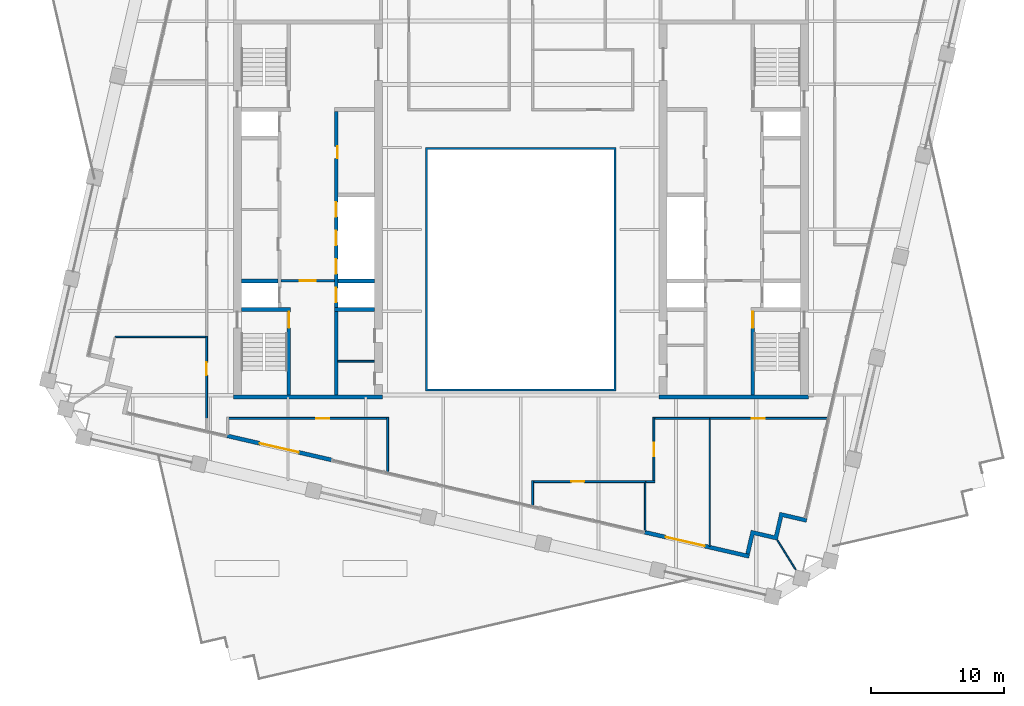
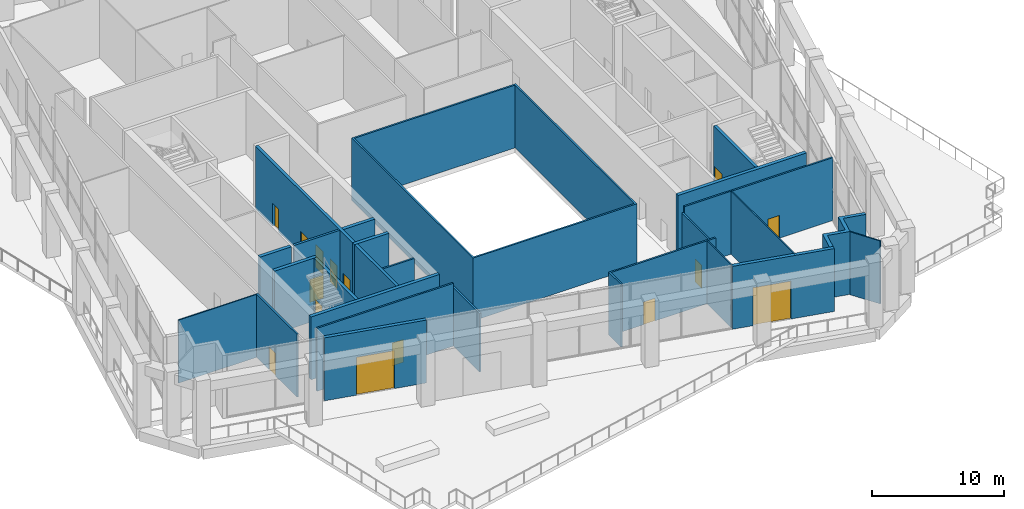
# One storey, part 12 of 21: 28 walls, 15 doors, 15 openings.
"""IFC4 building model written with IfcOpenShell, lengths in metres."""

from ifc_helpers import new_model, si_unit, direction, frame, frame_2d, origin, place, context, subcontext, project, spatial, polyline, rectangle, outline, extrude, material, layer, layer_set, type_object, element, fill, save


model = new_model("IFC4")

# Units and contexts
model_context = context("Model", 3, precision=1e-05, world=origin(), true_north=direction((0.0, 1.0)))
body_context = subcontext(model_context, "Body", "Model", "MODEL_VIEW")
ifc_project = project(units=[si_unit("LENGTHUNIT", "METRE"), si_unit("AREAUNIT", "SQUARE_METRE"), si_unit("VOLUMEUNIT", "CUBIC_METRE"), si_unit("PLANEANGLEUNIT", "RADIAN"), si_unit("MASSUNIT", "GRAM", prefix="KILO")], contexts=[model_context])

# Site, building, storey
site_placement = place(None, origin())
site = spatial("IfcSite", under=ifc_project, at=site_placement, CompositionType="ELEMENT")
building_placement = place(site_placement, origin())
building = spatial("IfcBuilding", under=site, at=building_placement, Name="Ogive Exchange Tower", CompositionType="ELEMENT")
storey_placement = place(building_placement, frame((0.0, 0.0, 237.0)))
storey = spatial("IfcBuildingStorey", under=building, at=storey_placement, Name="L51", CompositionType="ELEMENT", Elevation=237.0)

# Wall
ifc_material_1 = material(Name="Gypsum board partition")
ifc_layer_1 = layer(ifc_material_1, 0.14990234375)
ifc_layer_set_1 = layer_set([ifc_layer_1], Name="Core room partition 150 gypsum")
wall_type_1 = type_object("IfcWallType", Name="Core room partition 150 gypsum", PredefinedType="PARTITIONING", material=ifc_layer_set_1)
wall_1_placement = place(storey_placement, frame((-13.75, 0.10009765625, 0.0), z_axis=(0.0, 0.0, 1.0), x_axis=(1.0, 0.0, 0.0)))
element("IfcWall", 1, at=wall_1_placement, inside=storey, type_object=wall_type_1, Name="W south room partition", PredefinedType="PARTITIONING", context=body_context, shape_type="SweptSolid", body=[
    extrude(rectangle(XDim=2.75, YDim=0.14990234375, at=frame_2d((1.375, 0.0))), origin(), (0.0, 0.0, 1.0), 5.800048828125),
])

# Wall, opening, door
ifc_material_2 = material(Name="Fire partition EI 60 150")
ifc_layer_2 = layer(ifc_material_2, 0.14990234375)
ifc_layer_set_2 = layer_set([ifc_layer_2], Name="Fire partition EI 60 150")
wall_type_2 = type_object("IfcWallType", Name="Fire partition EI 60 150", PredefinedType="PARTITIONING", material=ifc_layer_set_2)
wall_2_placement = place(storey_placement, frame((-23.60009765625, -4.199951171875, 0.0), z_axis=(0.0, 0.0, 1.0), x_axis=(0.0, 1.0, 0.0)))
wall_2 = element("IfcWall", 2, at=wall_2_placement, inside=storey, type_object=wall_type_2, Name="L51-PWL-002", PredefinedType="PARTITIONING", context=body_context, shape_type="SweptSolid", body=[
    extrude(rectangle(XDim=6.179931640625, YDim=0.14990234375, at=frame_2d((3.08984375, 0.0))), origin(), (0.0, 0.0, 1.0), 5.800048828125),
])
opening_1_placement = place(wall_2_placement, frame((3.22998046875, 0.0, 0.0)))
opening_1 = element("IfcOpeningElement", 3, at=opening_1_placement, cuts=wall_2, Name="Opening L51-I11", PredefinedType="OPENING", context=body_context, shape_type="SweptSolid", body=[
    extrude(rectangle(XDim=1.0, YDim=2.10009765625, at=frame_2d((0.5, 1.050048828125))), frame((0.0, 0.0849609375, 0.0), z_axis=(0.0, -1.0, 0.0), x_axis=(1.0, 0.0, 0.0)), (0.0, 0.0, 1.0), 0.169921875),
])
ifc_material_3 = material(Name="Fire door FD 30S 1000 x 2100")
door_type_1 = type_object("IfcDoorType", Name="Fire door FD 30S 1000 x 2100", OperationType="NOTDEFINED", PredefinedType="DOOR", material=ifc_material_3)
door_1_placement = place(opening_1_placement, origin())
door_1 = element("IfcDoor", 4, at=door_1_placement, inside=storey, type_object=door_type_1, Name="L51-IDR-011", ObjectType="DT3", OperationType="SINGLE_SWING_LEFT", OverallHeight=2.10009765625, OverallWidth=1.0, PredefinedType="DOOR", context=body_context, shape_type="SweptSolid", body=[
    extrude(rectangle(XDim=1.0, YDim=2.10009765625, at=frame_2d((0.5, 1.050048828125))), frame((0.0, 0.02490234375, 0.0), z_axis=(0.0, -1.0, 0.0), x_axis=(1.0, 0.0, 0.0)), (0.0, 0.0, 1.0), 0.050048828125),
])
fill(opening_1, door_1)

# Wall
wall_3_placement = place(storey_placement, frame((-10.0, -8.216064453125, 0.0), z_axis=(0.0, 0.0, 1.0), x_axis=(0.0, 1.0, 0.0)))
element("IfcWall", 5, at=wall_3_placement, inside=storey, type_object=wall_type_2, Name="L51-PWL-020", PredefinedType="PARTITIONING", context=body_context, shape_type="SweptSolid", body=[
    extrude(rectangle(XDim=4.091064453125, YDim=0.14990234375, at=frame_2d((2.04541015625, 0.0))), origin(), (0.0, 0.0, 1.0), 5.39404296875),
])

# Wall, opening, door
wall_4_placement = place(storey_placement, frame((-10.074951171875, -4.199951171875, 0.0), z_axis=(0.0, 0.0, 1.0), x_axis=(-1.0, 0.0, 0.0)))
wall_4 = element("IfcWall", 6, at=wall_4_placement, inside=storey, type_object=wall_type_2, Name="L51-PWL-021", PredefinedType="PARTITIONING", context=body_context, shape_type="SweptSolid", body=[
    extrude(rectangle(XDim=11.880126953125, YDim=0.14990234375, at=frame_2d((5.93994140625, 0.0))), origin(), (0.0, 0.0, 1.0), 5.800048828125),
])
opening_2_placement = place(wall_4_placement, frame((4.304931640625, 0.0, 0.0)))
opening_2 = element("IfcOpeningElement", 7, at=opening_2_placement, cuts=wall_4, Name="Opening L51-I01", PredefinedType="OPENING", context=body_context, shape_type="SweptSolid", body=[
    extrude(rectangle(XDim=1.0, YDim=2.10009765625, at=frame_2d((0.5, 1.050048828125))), frame((0.0, 0.0849609375, 0.0), z_axis=(0.0, -1.0, 0.0), x_axis=(1.0, 0.0, 0.0)), (0.0, 0.0, 1.0), 0.169921875),
])
door_2_placement = place(opening_2_placement, origin())
door_2 = element("IfcDoor", 8, at=door_2_placement, inside=storey, type_object=door_type_1, Name="L51-IDR-001", ObjectType="DT3", OperationType="SINGLE_SWING_RIGHT", OverallHeight=2.10009765625, OverallWidth=1.0, PredefinedType="DOOR", context=body_context, shape_type="SweptSolid", body=[
    extrude(rectangle(XDim=1.0, YDim=2.10009765625, at=frame_2d((0.5, 1.050048828125))), frame((0.0, 0.02490234375, 0.0), z_axis=(0.0, -1.0, 0.0), x_axis=(1.0, 0.0, 0.0)), (0.0, 0.0, 1.0), 0.050048828125),
])
fill(opening_2, door_2)

# Wall
wall_5_placement = place(storey_placement, frame((0.8798828125, -8.864990234375, 0.0), z_axis=(0.0, 0.0, 1.0), x_axis=(0.0, -1.0, 0.0)))
element("IfcWall", 9, at=wall_5_placement, inside=storey, type_object=wall_type_2, Name="L51-PWL-035", PredefinedType="PARTITIONING", context=body_context, shape_type="SweptSolid", body=[
    extrude(rectangle(XDim=1.863037109375, YDim=0.14990234375, at=frame_2d((0.931640625, 0.0))), origin(), (0.0, 0.0, 1.0), 5.800048828125),
])

# Wall, opening, door
wall_6_placement = place(storey_placement, frame((9.389892578125, -8.93994140625, 0.0), z_axis=(0.0, 0.0, 1.0), x_axis=(-1.0, 0.0, 0.0)))
wall_6 = element("IfcWall", 10, at=wall_6_placement, inside=storey, type_object=wall_type_2, Name="L51-PWL-048", PredefinedType="PARTITIONING", context=body_context, shape_type="SweptSolid", body=[
    extrude(rectangle(XDim=8.434814453125, YDim=0.14990234375, at=frame_2d((4.21728515625, 0.0))), origin(), (0.0, 0.0, 1.0), 5.800048828125),
])
opening_3_placement = place(wall_6_placement, frame((4.610107421875, 0.0, 0.0)))
opening_3 = element("IfcOpeningElement", 11, at=opening_3_placement, cuts=wall_6, Name="Opening L51-I21", PredefinedType="OPENING", context=body_context, shape_type="SweptSolid", body=[
    extrude(rectangle(XDim=1.0, YDim=2.10009765625, at=frame_2d((0.5, 1.050048828125))), frame((0.0, 0.0849609375, 0.0), z_axis=(0.0, -1.0, 0.0), x_axis=(1.0, 0.0, 0.0)), (0.0, 0.0, 1.0), 0.169921875),
])
door_3_placement = place(opening_3_placement, origin())
door_3 = element("IfcDoor", 12, at=door_3_placement, inside=storey, type_object=door_type_1, Name="L51-IDR-021", ObjectType="DT3", OperationType="SINGLE_SWING_LEFT", OverallHeight=2.10009765625, OverallWidth=1.0, PredefinedType="DOOR", context=body_context, shape_type="SweptSolid", body=[
    extrude(rectangle(XDim=1.0, YDim=2.10009765625, at=frame_2d((0.5, 1.050048828125))), frame((0.0, 0.02490234375, 0.0), z_axis=(0.0, -1.0, 0.0), x_axis=(1.0, 0.0, 0.0)), (0.0, 0.0, 1.0), 0.050048828125),
])
fill(opening_3, door_3)

# Wall
wall_7_placement = place(storey_placement, frame((10.074951171875, -8.93994140625, 0.0), z_axis=(0.0, 0.0, 1.0), x_axis=(-1.0, 0.0, 0.0)))
element("IfcWall", 13, at=wall_7_placement, inside=storey, type_object=wall_type_2, Name="L51-PWL-052", PredefinedType="PARTITIONING", context=body_context, shape_type="SweptSolid", body=[
    extrude(rectangle(XDim=0.68505859375, YDim=0.14990234375, at=frame_2d((0.342529296875, 0.0))), origin(), (0.0, 0.0, 1.0), 5.800048828125),
])

# Wall, opening, door
wall_8_placement = place(storey_placement, frame((10.0, -4.125, 0.0), z_axis=(0.0, 0.0, 1.0), x_axis=(0.0, -1.0, 0.0)))
wall_8 = element("IfcWall", 14, at=wall_8_placement, inside=storey, type_object=wall_type_2, Name="L51-PWL-053", PredefinedType="PARTITIONING", context=body_context, shape_type="SweptSolid", body=[
    extrude(rectangle(XDim=4.739990234375, YDim=0.14990234375, at=frame_2d((2.3701171875, 0.0))), origin(), (0.0, 0.0, 1.0), 5.197998046875),
])
opening_4_placement = place(wall_8_placement, frame((1.9150390625, 0.0, 0.0)))
opening_4 = element("IfcOpeningElement", 15, at=opening_4_placement, cuts=wall_8, Name="Opening L51-I22", PredefinedType="OPENING", context=body_context, shape_type="SweptSolid", body=[
    extrude(rectangle(XDim=1.0, YDim=2.10009765625, at=frame_2d((0.5, 1.050048828125))), frame((0.0, 0.0849609375, 0.0), z_axis=(0.0, -1.0, 0.0), x_axis=(1.0, 0.0, 0.0)), (0.0, 0.0, 1.0), 0.169921875),
])
door_4_placement = place(opening_4_placement, origin())
door_4 = element("IfcDoor", 16, at=door_4_placement, inside=storey, type_object=door_type_1, Name="L51-IDR-022", ObjectType="DT3", OperationType="SINGLE_SWING_RIGHT", OverallHeight=2.10009765625, OverallWidth=1.0, PredefinedType="DOOR", context=body_context, shape_type="SweptSolid", body=[
    extrude(rectangle(XDim=1.0, YDim=2.10009765625, at=frame_2d((0.5, 1.050048828125))), frame((0.0, 0.02490234375, 0.0), z_axis=(0.0, -1.0, 0.0), x_axis=(1.0, 0.0, 0.0)), (0.0, 0.0, 1.0), 0.050048828125),
])
fill(opening_4, door_4)

# Wall
wall_9_placement = place(storey_placement, frame((14.18994140625, -4.199951171875, 0.0), z_axis=(0.0, 0.0, 1.0), x_axis=(-1.0, 0.0, 0.0)))
element("IfcWall", 17, at=wall_9_placement, inside=storey, type_object=wall_type_2, Name="L51-PWL-055", PredefinedType="PARTITIONING", context=body_context, shape_type="SweptSolid", body=[
    extrude(rectangle(XDim=4.114990234375, YDim=0.14990234375, at=frame_2d((2.0576171875, 0.0))), origin(), (0.0, 0.0, 1.0), 5.800048828125),
])

# Wall, opening, door
wall_10_placement = place(storey_placement, frame((23.013916015625, -4.199951171875, 0.0), z_axis=(0.0, 0.0, 1.0), x_axis=(-1.0, 0.0, 0.0)))
wall_10 = element("IfcWall", 18, at=wall_10_placement, inside=storey, type_object=wall_type_2, Name="L51-PWL-065", PredefinedType="PARTITIONING", context=body_context, shape_type="SweptSolid", body=[
    extrude(rectangle(XDim=8.823974609375, YDim=0.14990234375, at=frame_2d((4.412109375, 0.0))), origin(), (0.0, 0.0, 1.0), 5.800048828125),
])
opening_5_placement = place(wall_10_placement, frame((4.674072265625, 0.0, 0.0)))
opening_5 = element("IfcOpeningElement", 19, at=opening_5_placement, cuts=wall_10, Name="Opening L51-I23", PredefinedType="OPENING", context=body_context, shape_type="SweptSolid", body=[
    extrude(rectangle(XDim=1.0, YDim=2.10009765625, at=frame_2d((0.5, 1.050048828125))), frame((0.0, 0.0849609375, 0.0), z_axis=(0.0, -1.0, 0.0), x_axis=(1.0, 0.0, 0.0)), (0.0, 0.0, 1.0), 0.169921875),
])
door_5_placement = place(opening_5_placement, origin())
door_5 = element("IfcDoor", 20, at=door_5_placement, inside=storey, type_object=door_type_1, Name="L51-IDR-023", ObjectType="DT3", OperationType="SINGLE_SWING_LEFT", OverallHeight=2.10009765625, OverallWidth=1.0, PredefinedType="DOOR", context=body_context, shape_type="SweptSolid", body=[
    extrude(rectangle(XDim=1.0, YDim=2.10009765625, at=frame_2d((0.5, 1.050048828125))), frame((0.0, 0.02490234375, 0.0), z_axis=(0.0, -1.0, 0.0), x_axis=(1.0, 0.0, 0.0)), (0.0, 0.0, 1.0), 0.050048828125),
])
fill(opening_5, door_5)

# Wall
ifc_material_4 = material(Name="Fire-resisting glass in steel frame", Category="steel")
ifc_layer_3 = layer(ifc_material_4, 0.14990234375)
ifc_layer_set_3 = layer_set([ifc_layer_3], Name="Fire-rated glazed wall 150")
wall_type_3 = type_object("IfcWallType", Name="Fire-rated glazed wall 150", PredefinedType="STANDARD", material=ifc_layer_set_3)
wall_11_placement = place(storey_placement, origin())
element("IfcWall", 21, at=wall_11_placement, inside=storey, type_object=wall_type_3, Name="Nave enclosure wall", PredefinedType="STANDARD", context=body_context, shape_type="SweptSolid", body=[
    extrude(outline(polyline([(-7.14990234375, -2.14990234375), (7.14990234375, -2.14990234375), (7.14990234375, 16.14990234375), (-7.14990234375, 16.14990234375), (-7.14990234375, -2.14990234375)]), holes=[polyline([(-7.0, -2.0), (-7.0, 16.0), (7.0, 16.0), (7.0, -2.0), (-7.0, -2.0)])]), origin(), (0.0, 0.0, 1.0), 5.800048828125),
])

# Wall, opening, door
ifc_material_5 = material(Name="Precast concrete C40/50", Category="concrete")
ifc_layer_4 = layer(ifc_material_5, 0.300048828125)
ifc_layer_set_4 = layer_set([ifc_layer_4], Name="Limestone-faced wall 300")
wall_type_4 = type_object("IfcWallType", Name="Limestone-faced wall 300", PredefinedType="STANDARD", material=ifc_layer_set_4)
wall_12_placement = place(storey_placement, frame((-22.064697265625, -5.501708984375, 0.0), z_axis=(0.0, 0.0, 1.0), x_axis=(0.974372279954, -0.224941459176, 0.0)))
wall_12 = element("IfcWall", 22, at=wall_12_placement, inside=storey, type_object=wall_type_4, Name="External wall S1", PredefinedType="STANDARD", context=body_context, shape_type="SweptSolid", body=[
    extrude(rectangle(XDim=8.050048828125, YDim=0.300048828125, at=frame_2d((4.02490234375, 0.0))), origin(), (0.0, 0.0, 1.0), 5.800048828125),
])
opening_6_placement = place(wall_12_placement, frame((2.52490234375, 0.0, 0.0)))
opening_6 = element("IfcOpeningElement", 23, at=opening_6_placement, cuts=wall_12, Name="Opening D2", PredefinedType="OPENING", context=body_context, shape_type="SweptSolid", body=[
    extrude(rectangle(XDim=3.0, YDim=3.5, at=frame_2d((1.5, 1.75))), frame((0.0, 0.159912109375, 0.0), z_axis=(0.0, -1.0, 0.0), x_axis=(1.0, 0.0, 0.0)), (0.0, 0.0, 1.0), 0.320068359375),
])
ifc_material_6 = material(Name="Clear glass in bronze frame", Category="glass")
door_type_2 = type_object("IfcDoorType", Name="Winter garden sliding door 3000 x 3500", OperationType="DOUBLE_DOOR_SLIDING", PredefinedType="DOOR", material=ifc_material_6)
door_6_placement = place(opening_6_placement, origin())
door_6 = element("IfcDoor", 24, at=door_6_placement, inside=storey, type_object=door_type_2, Name="Loggia door S01", OperationType="DOUBLE_DOOR_SLIDING", OverallHeight=3.5, OverallWidth=3.0, PredefinedType="DOOR", context=body_context, shape_type="SweptSolid", body=[
    extrude(rectangle(XDim=3.0, YDim=3.5, at=frame_2d((1.5, 1.75))), frame((0.0, 0.02490234375, 0.0), z_axis=(0.0, -1.0, 0.0), x_axis=(1.0, 0.0, 0.0)), (0.0, 0.0, 1.0), 0.050048828125),
])
fill(opening_6, door_6)

wall_13_placement = place(storey_placement, frame((9.31005859375, -12.7451171875, 0.0), z_axis=(0.0, 0.0, 1.0), x_axis=(0.974372279954, -0.224941459176, 0.0)))
wall_13 = element("IfcWall", 25, at=wall_13_placement, inside=storey, type_object=wall_type_4, Name="External wall S2", PredefinedType="STANDARD", context=body_context, shape_type="SweptSolid", body=[
    extrude(rectangle(XDim=8.050048828125, YDim=0.300048828125, at=frame_2d((4.02490234375, 0.0))), origin(), (0.0, 0.0, 1.0), 5.800048828125),
])
opening_7_placement = place(wall_13_placement, frame((1.625, 0.0, 0.0)))
opening_7 = element("IfcOpeningElement", 26, at=opening_7_placement, cuts=wall_13, Name="Opening D2", PredefinedType="OPENING", context=body_context, shape_type="SweptSolid", body=[
    extrude(rectangle(XDim=3.0, YDim=3.5, at=frame_2d((1.5, 1.75))), frame((0.0, 0.159912109375, 0.0), z_axis=(0.0, -1.0, 0.0), x_axis=(1.0, 0.0, 0.0)), (0.0, 0.0, 1.0), 0.320068359375),
])
door_7_placement = place(opening_7_placement, origin())
door_7 = element("IfcDoor", 27, at=door_7_placement, inside=storey, type_object=door_type_2, Name="Loggia door S05", OperationType="DOUBLE_DOOR_SLIDING", OverallHeight=3.5, OverallWidth=3.0, PredefinedType="DOOR", context=body_context, shape_type="SweptSolid", body=[
    extrude(rectangle(XDim=3.0, YDim=3.5, at=frame_2d((1.5, 1.75))), frame((0.0, 0.02490234375, 0.0), z_axis=(0.0, -1.0, 0.0), x_axis=(1.0, 0.0, 0.0)), (0.0, 0.0, 1.0), 0.050048828125),
])
fill(opening_7, door_7)

# Walls
wall_14_placement = place(storey_placement, origin())
element("IfcWall", 28, at=wall_14_placement, inside=storey, type_object=wall_type_4, Name="External corner wall C1", PredefinedType="STANDARD", context=body_context, shape_type="SweptSolid", body=[
    extrude(outline(polyline([(19.053955078125, -12.993408203125), (19.458740234375, -11.239501953125), (21.5048828125, -11.7119140625), (21.4375, -12.004150390625), (19.68359375, -11.599365234375), (19.27880859375, -13.353271484375), (17.52490234375, -12.9482421875), (17.1875, -14.409912109375), (16.89501953125, -14.34228515625), (17.300048828125, -12.58837890625), (19.053955078125, -12.993408203125)])), origin(), (0.0, 0.0, 1.0), 5.800048828125),
])
ifc_material_7 = material(Name="Laminated safety glass in steel frame", Category="steel")
ifc_layer_5 = layer(ifc_material_7, 0.10009765625)
ifc_layer_set_5 = layer_set([ifc_layer_5], Name="Loggia end screen 100")
wall_type_5 = type_object("IfcWallType", Name="Loggia end screen 100", PredefinedType="STANDARD", material=ifc_layer_set_5)
wall_15_placement = place(storey_placement, frame((19.27880859375, -13.353271484375, 0.0), z_axis=(0.0, 0.0, 1.0), x_axis=(0.529914407191, -0.848051131154, 0.0)))
element("IfcWall", 29, at=wall_15_placement, inside=storey, type_object=wall_type_5, Name="Loggia end screen C1", PredefinedType="STANDARD", context=body_context, shape_type="SweptSolid", body=[
    extrude(rectangle(XDim=2.59619140625, YDim=0.10009765625, at=frame_2d((1.298095703125, 0.0))), origin(), (0.0, 0.0, 1.0), 5.800048828125),
])
ifc_material_8 = material(Name="Partition 100 gypsum")
ifc_layer_6 = layer(ifc_material_8, 0.10009765625)
ifc_layer_set_6 = layer_set([ifc_layer_6], Name="Partition 100 gypsum")
wall_type_6 = type_object("IfcWallType", Name="Partition 100 gypsum", PredefinedType="PARTITIONING", material=ifc_layer_set_6)
wall_16_placement = place(storey_placement, frame((-23.675048828125, 1.929931640625, 0.0), z_axis=(0.0, 0.0, 1.0), x_axis=(-1.0, 0.0, 0.0)))
element("IfcWall", 30, at=wall_16_placement, inside=storey, type_object=wall_type_6, Name="L51-PWL-003", PredefinedType="PARTITIONING", context=body_context, shape_type="SweptSolid", body=[
    extrude(rectangle(XDim=6.804931640625, YDim=0.10009765625, at=frame_2d((3.40234375, 0.0))), origin(), (0.0, 0.0, 1.0), 5.800048828125),
])
wall_17_placement = place(storey_placement, frame((9.340087890625, -9.014892578125, 0.0), z_axis=(0.0, 0.0, 1.0), x_axis=(0.0, -1.0, 0.0)))
element("IfcWall", 31, at=wall_17_placement, inside=storey, type_object=wall_type_6, Name="L51-PWL-049", PredefinedType="PARTITIONING", context=body_context, shape_type="SweptSolid", body=[
    extrude(rectangle(XDim=3.666015625, YDim=0.10009765625, at=frame_2d((1.8330078125, 0.0))), origin(), (0.0, 0.0, 1.0), 5.800048828125),
])
wall_18_placement = place(storey_placement, frame((14.18994140625, -4.27490234375, 0.0), z_axis=(0.0, 0.0, 1.0), x_axis=(0.0, -1.0, 0.0)))
element("IfcWall", 32, at=wall_18_placement, inside=storey, type_object=wall_type_6, Name="L51-PWL-056", PredefinedType="PARTITIONING", context=body_context, shape_type="SweptSolid", body=[
    extrude(rectangle(XDim=9.525146484375, YDim=0.10009765625, at=frame_2d((4.7626953125, 0.0))), origin(), (0.0, 0.0, 1.0), 5.800048828125),
])

# Wall, opening, door
ifc_material_9 = material(Name="Concrete C70/85", Category="concrete")
ifc_layer_7 = layer(ifc_material_9, 0.199951171875)
ifc_layer_set_7 = layer_set([ifc_layer_7], Name="RC core wall 200 C70/85")
wall_type_7 = type_object("IfcWallType", Name="RC core wall 200 C70/85", PredefinedType="SHEAR", material=ifc_layer_set_7)
wall_19_placement = place(storey_placement, frame((-18.0, 6.142822265625, 0.0), z_axis=(0.0, 0.0, 1.0), x_axis=(1.0, 0.0, 0.0)))
wall_19 = element("IfcWall", 33, at=wall_19_placement, inside=storey, type_object=wall_type_7, Name="W firefighting lobby wall", PredefinedType="SHEAR", context=body_context, shape_type="SweptSolid", body=[
    extrude(rectangle(XDim=4.0, YDim=0.199951171875, at=frame_2d((2.0, 0.0))), origin(), (0.0, 0.0, 1.0), 5.800048828125),
])
opening_8_placement = place(wall_19_placement, frame((1.39990234375, 0.0, 0.0)))
opening_8 = element("IfcOpeningElement", 34, at=opening_8_placement, cuts=wall_19, Name="Opening L51-C10", PredefinedType="OPENING", context=body_context, shape_type="SweptSolid", body=[
    extrude(rectangle(XDim=1.199951171875, YDim=2.10009765625, at=frame_2d((0.60009765625, 1.050048828125))), frame((0.0, 0.10986328125, 0.0), z_axis=(0.0, -1.0, 0.0), x_axis=(1.0, 0.0, 0.0)), (0.0, 0.0, 1.0), 0.219970703125),
])
ifc_material_10 = material(Name="Steel fire door", Category="steel")
door_type_3 = type_object("IfcDoorType", Name="Firefighting lobby door FD60 1200 x 2100", OperationType="NOTDEFINED", PredefinedType="DOOR", material=ifc_material_10)
door_8_placement = place(opening_8_placement, frame((1.199951171875, 0.0, 0.0), z_axis=(0.0, 0.0, 1.0), x_axis=(-1.0, 0.0, 0.0)))
door_8 = element("IfcDoor", 35, at=door_8_placement, inside=storey, type_object=door_type_3, Name="Firefighting lobby door", ObjectType="CD3", OperationType="SINGLE_SWING_RIGHT", OverallHeight=2.10009765625, OverallWidth=1.199951171875, PredefinedType="DOOR", context=body_context, shape_type="SweptSolid", body=[
    extrude(rectangle(XDim=1.199951171875, YDim=2.10009765625, at=frame_2d((0.60009765625, 1.050048828125))), frame((0.0, 0.02490234375, 0.0), z_axis=(0.0, -1.0, 0.0), x_axis=(1.0, 0.0, 0.0)), (0.0, 0.0, 1.0), 0.050048828125),
])
fill(opening_8, door_8)

ifc_layer_8 = layer(ifc_material_9, 0.25)
ifc_layer_set_8 = layer_set([ifc_layer_8], Name="RC core wall 250 C70/85")
wall_type_8 = type_object("IfcWallType", Name="RC core wall 250 C70/85", PredefinedType="SHEAR", material=ifc_layer_set_8)
wall_20_placement = place(storey_placement, frame((-17.425048828125, -2.449951171875, 0.0), z_axis=(0.0, 0.0, 1.0), x_axis=(0.0, 1.0, 0.0)))
wall_20 = element("IfcWall", 36, at=wall_20_placement, inside=storey, type_object=wall_type_8, Name="W stair S front wall", PredefinedType="SHEAR", context=body_context, shape_type="SweptSolid", body=[
    extrude(rectangle(XDim=6.300048828125, YDim=0.25, at=frame_2d((3.14990234375, 0.0))), origin(), (0.0, 0.0, 1.0), 5.800048828125),
])
opening_9_placement = place(wall_20_placement, frame((5.050048828125, 0.0, 0.0)))
opening_9 = element("IfcOpeningElement", 37, at=opening_9_placement, cuts=wall_20, Name="Opening L51-C12", PredefinedType="OPENING", context=body_context, shape_type="SweptSolid", body=[
    extrude(rectangle(XDim=1.199951171875, YDim=2.10009765625, at=frame_2d((0.60009765625, 1.050048828125))), frame((0.0, 0.135009765625, 0.0), z_axis=(0.0, -1.0, 0.0), x_axis=(1.0, 0.0, 0.0)), (0.0, 0.0, 1.0), 0.27001953125),
])
door_type_4 = type_object("IfcDoorType", Name="Stair door FD90 1200 x 2100", OperationType="NOTDEFINED", PredefinedType="DOOR", material=ifc_material_10)
door_9_placement = place(opening_9_placement, origin())
door_9 = element("IfcDoor", 38, at=door_9_placement, inside=storey, type_object=door_type_4, Name="Stair door", ObjectType="CD5", OperationType="SINGLE_SWING_LEFT", OverallHeight=2.10009765625, OverallWidth=1.199951171875, PredefinedType="DOOR", context=body_context, shape_type="SweptSolid", body=[
    extrude(rectangle(XDim=1.199951171875, YDim=2.10009765625, at=frame_2d((0.60009765625, 1.050048828125))), frame((0.0, 0.02490234375, 0.0), z_axis=(0.0, -1.0, 0.0), x_axis=(1.0, 0.0, 0.0)), (0.0, 0.0, 1.0), 0.050048828125),
])
fill(opening_9, door_9)

# Wall, openings, doors
wall_21_placement = place(storey_placement, frame((-13.875, -2.449951171875, 0.0), z_axis=(0.0, 0.0, 1.0), x_axis=(0.0, 1.0, 0.0)))
wall_21 = element("IfcWall", 39, at=wall_21_placement, inside=storey, type_object=wall_type_8, Name="W row B front wall", PredefinedType="SHEAR", context=body_context, shape_type="SweptSolid", body=[
    extrude(rectangle(XDim=21.300048828125, YDim=0.25, at=frame_2d((10.64990234375, 0.0))), origin(), (0.0, 0.0, 1.0), 5.800048828125),
])
opening_10_placement = place(wall_21_placement, frame((17.78564453125, 0.0, 0.0)))
opening_10 = element("IfcOpeningElement", 40, at=opening_10_placement, cuts=wall_21, Name="Opening L51-C05", PredefinedType="OPENING", context=body_context, shape_type="SweptSolid", body=[
    extrude(rectangle(XDim=0.89990234375, YDim=2.10009765625, at=frame_2d((0.449951171875, 1.050048828125))), frame((0.0, 0.135009765625, 0.0), z_axis=(0.0, -1.0, 0.0), x_axis=(1.0, 0.0, 0.0)), (0.0, 0.0, 1.0), 0.27001953125),
])
opening_11_placement = place(wall_21_placement, frame((6.971435546875, 0.0, 0.0)))
opening_11 = element("IfcOpeningElement", 41, at=opening_11_placement, cuts=wall_21, Name="Opening L51-C06", PredefinedType="OPENING", context=body_context, shape_type="SweptSolid", body=[
    extrude(rectangle(XDim=1.10009765625, YDim=2.10009765625, at=frame_2d((0.550048828125, 1.050048828125))), frame((0.0, 0.135009765625, 0.0), z_axis=(0.0, -1.0, 0.0), x_axis=(1.0, 0.0, 0.0)), (0.0, 0.0, 1.0), 0.27001953125),
])
opening_12_placement = place(wall_21_placement, frame((9.1142578125, 0.0, 0.0)))
opening_12 = element("IfcOpeningElement", 42, at=opening_12_placement, cuts=wall_21, Name="Opening L51-C07", PredefinedType="OPENING", context=body_context, shape_type="SweptSolid", body=[
    extrude(rectangle(XDim=1.10009765625, YDim=2.10009765625, at=frame_2d((0.550048828125, 1.050048828125))), frame((0.0, 0.135009765625, 0.0), z_axis=(0.0, -1.0, 0.0), x_axis=(1.0, 0.0, 0.0)), (0.0, 0.0, 1.0), 0.27001953125),
])
opening_13_placement = place(wall_21_placement, frame((11.257080078125, 0.0, 0.0)))
opening_13 = element("IfcOpeningElement", 43, at=opening_13_placement, cuts=wall_21, Name="Opening L51-C08", PredefinedType="OPENING", context=body_context, shape_type="SweptSolid", body=[
    extrude(rectangle(XDim=1.10009765625, YDim=2.10009765625, at=frame_2d((0.550048828125, 1.050048828125))), frame((0.0, 0.135009765625, 0.0), z_axis=(0.0, -1.0, 0.0), x_axis=(1.0, 0.0, 0.0)), (0.0, 0.0, 1.0), 0.27001953125),
])
opening_14_placement = place(wall_21_placement, frame((13.39990234375, 0.0, 0.0)))
opening_14 = element("IfcOpeningElement", 44, at=opening_14_placement, cuts=wall_21, Name="Opening L51-C09", PredefinedType="OPENING", context=body_context, shape_type="SweptSolid", body=[
    extrude(rectangle(XDim=1.10009765625, YDim=2.10009765625, at=frame_2d((0.550048828125, 1.050048828125))), frame((0.0, 0.135009765625, 0.0), z_axis=(0.0, -1.0, 0.0), x_axis=(1.0, 0.0, 0.0)), (0.0, 0.0, 1.0), 0.27001953125),
])
ifc_material_11 = material(Name="Stainless steel", Category="steel")
door_type_5 = type_object("IfcDoorType", Name="Lift landing door FD90 1100 x 2100", OperationType="SLIDING_TO_LEFT", PredefinedType="DOOR", material=ifc_material_11)
door_10_placement = place(opening_11_placement, origin())
door_10 = element("IfcDoor", 45, at=door_10_placement, inside=storey, type_object=door_type_5, Name="Lift landing door SV1", ObjectType="LD", OperationType="SLIDING_TO_LEFT", OverallHeight=2.10009765625, OverallWidth=1.10009765625, PredefinedType="DOOR", context=body_context, shape_type="SweptSolid", body=[
    extrude(rectangle(XDim=1.10009765625, YDim=2.10009765625, at=frame_2d((0.550048828125, 1.050048828125))), frame((0.0, 0.02490234375, 0.0), z_axis=(0.0, -1.0, 0.0), x_axis=(1.0, 0.0, 0.0)), (0.0, 0.0, 1.0), 0.050048828125),
])
fill(opening_11, door_10)
door_11_placement = place(opening_12_placement, origin())
door_11 = element("IfcDoor", 46, at=door_11_placement, inside=storey, type_object=door_type_5, Name="Lift landing door W-M1", ObjectType="LD", OperationType="SLIDING_TO_LEFT", OverallHeight=2.10009765625, OverallWidth=1.10009765625, PredefinedType="DOOR", context=body_context, shape_type="SweptSolid", body=[
    extrude(rectangle(XDim=1.10009765625, YDim=2.10009765625, at=frame_2d((0.550048828125, 1.050048828125))), frame((0.0, 0.02490234375, 0.0), z_axis=(0.0, -1.0, 0.0), x_axis=(1.0, 0.0, 0.0)), (0.0, 0.0, 1.0), 0.050048828125),
])
fill(opening_12, door_11)
door_12_placement = place(opening_13_placement, origin())
door_12 = element("IfcDoor", 47, at=door_12_placement, inside=storey, type_object=door_type_5, Name="Lift landing door W-M2", ObjectType="LD", OperationType="SLIDING_TO_LEFT", OverallHeight=2.10009765625, OverallWidth=1.10009765625, PredefinedType="DOOR", context=body_context, shape_type="SweptSolid", body=[
    extrude(rectangle(XDim=1.10009765625, YDim=2.10009765625, at=frame_2d((0.550048828125, 1.050048828125))), frame((0.0, 0.02490234375, 0.0), z_axis=(0.0, -1.0, 0.0), x_axis=(1.0, 0.0, 0.0)), (0.0, 0.0, 1.0), 0.050048828125),
])
fill(opening_13, door_12)
door_13_placement = place(opening_14_placement, origin())
door_13 = element("IfcDoor", 48, at=door_13_placement, inside=storey, type_object=door_type_5, Name="Lift landing door W-M3", ObjectType="LD", OperationType="SLIDING_TO_LEFT", OverallHeight=2.10009765625, OverallWidth=1.10009765625, PredefinedType="DOOR", context=body_context, shape_type="SweptSolid", body=[
    extrude(rectangle(XDim=1.10009765625, YDim=2.10009765625, at=frame_2d((0.550048828125, 1.050048828125))), frame((0.0, 0.02490234375, 0.0), z_axis=(0.0, -1.0, 0.0), x_axis=(1.0, 0.0, 0.0)), (0.0, 0.0, 1.0), 0.050048828125),
])
fill(opening_14, door_13)
door_type_6 = type_object("IfcDoorType", Name="Riser door FD60 900 x 2100", OperationType="NOTDEFINED", PredefinedType="DOOR", material=ifc_material_10)
door_14_placement = place(opening_10_placement, frame((0.89990234375, -0.2001953125, 0.0), z_axis=(0.0, 0.0, 1.0), x_axis=(-1.0, 0.0, 0.0)))
door_14 = element("IfcDoor", 49, at=door_14_placement, inside=storey, type_object=door_type_6, Name="Riser door", ObjectType="CD2", OperationType="SINGLE_SWING_RIGHT", OverallHeight=2.10009765625, OverallWidth=0.89990234375, PredefinedType="DOOR", context=body_context, shape_type="SweptSolid", body=[
    extrude(rectangle(XDim=0.89990234375, YDim=2.10009765625, at=frame_2d((0.449951171875, 1.050048828125))), frame((0.0, -0.0751953125, 0.0), z_axis=(0.0, -1.0, 0.0), x_axis=(1.0, 0.0, 0.0)), (0.0, 0.0, 1.0), 0.050048828125),
])
fill(opening_10, door_14)

# Wall, opening, door
wall_22_placement = place(storey_placement, frame((17.425048828125, -2.449951171875, 0.0), z_axis=(0.0, 0.0, 1.0), x_axis=(0.0, 1.0, 0.0)))
wall_22 = element("IfcWall", 50, at=wall_22_placement, inside=storey, type_object=wall_type_8, Name="E stair S front wall", PredefinedType="SHEAR", context=body_context, shape_type="SweptSolid", body=[
    extrude(rectangle(XDim=6.300048828125, YDim=0.25, at=frame_2d((3.14990234375, 0.0))), origin(), (0.0, 0.0, 1.0), 5.800048828125),
])
opening_15_placement = place(wall_22_placement, frame((5.050048828125, 0.0, 0.0)))
opening_15 = element("IfcOpeningElement", 51, at=opening_15_placement, cuts=wall_22, Name="Opening L51-C31", PredefinedType="OPENING", context=body_context, shape_type="SweptSolid", body=[
    extrude(rectangle(XDim=1.199951171875, YDim=2.10009765625, at=frame_2d((0.60009765625, 1.050048828125))), frame((0.0, 0.135009765625, 0.0), z_axis=(0.0, -1.0, 0.0), x_axis=(1.0, 0.0, 0.0)), (0.0, 0.0, 1.0), 0.27001953125),
])
door_15_placement = place(opening_15_placement, frame((1.199951171875, 0.0, 0.0), z_axis=(0.0, 0.0, 1.0), x_axis=(-1.0, 0.0, 0.0)))
door_15 = element("IfcDoor", 52, at=door_15_placement, inside=storey, type_object=door_type_4, Name="Stair door", ObjectType="CD5", OperationType="SINGLE_SWING_RIGHT", OverallHeight=2.10009765625, OverallWidth=1.199951171875, PredefinedType="DOOR", context=body_context, shape_type="SweptSolid", body=[
    extrude(rectangle(XDim=1.199951171875, YDim=2.10009765625, at=frame_2d((0.60009765625, 1.050048828125))), frame((0.0, 0.02490234375, 0.0), z_axis=(0.0, -1.0, 0.0), x_axis=(1.0, 0.0, 0.0)), (0.0, 0.0, 1.0), 0.050048828125),
])
fill(opening_15, door_15)

# Walls
ifc_layer_9 = layer(ifc_material_9, 0.300048828125)
ifc_layer_set_9 = layer_set([ifc_layer_9], Name="RC core wall 300 C70/85")
wall_type_9 = type_object("IfcWallType", Name="RC core wall 300 C70/85", PredefinedType="SHEAR", material=ifc_layer_set_9)
wall_23_placement = place(storey_placement, frame((-21.60009765625, -2.60009765625, 0.0), z_axis=(0.0, 0.0, 1.0), x_axis=(1.0, 0.0, 0.0)))
element("IfcWall", 53, at=wall_23_placement, inside=storey, type_object=wall_type_9, Name="W south end wall", PredefinedType="SHEAR", context=body_context, shape_type="SweptSolid", body=[
    extrude(rectangle(XDim=11.2001953125, YDim=0.300048828125, at=frame_2d((5.60009765625, 0.0))), origin(), (0.0, 0.0, 1.0), 5.800048828125),
])
wall_24_placement = place(storey_placement, frame((-21.0, 4.0, 0.0), z_axis=(0.0, 0.0, 1.0), x_axis=(1.0, 0.0, 0.0)))
element("IfcWall", 54, at=wall_24_placement, inside=storey, type_object=wall_type_9, Name="W stair S north wall", PredefinedType="SHEAR", context=body_context, shape_type="SweptSolid", body=[
    extrude(rectangle(XDim=3.699951171875, YDim=0.300048828125, at=frame_2d((1.85009765625, 0.0))), origin(), (0.0, 0.0, 1.0), 5.800048828125),
])
wall_25_placement = place(storey_placement, frame((-21.0, 6.142822265625, 0.0), z_axis=(0.0, 0.0, 1.0), x_axis=(1.0, 0.0, 0.0)))
element("IfcWall", 55, at=wall_25_placement, inside=storey, type_object=wall_type_9, Name="W row A divider 1", PredefinedType="SHEAR", context=body_context, shape_type="SweptSolid", body=[
    extrude(rectangle(XDim=2.75, YDim=0.300048828125, at=frame_2d((1.375, 0.0))), origin(), (0.0, 0.0, 1.0), 5.800048828125),
])
wall_26_placement = place(storey_placement, frame((-14.0, 4.0, 0.0), z_axis=(0.0, 0.0, 1.0), x_axis=(1.0, 0.0, 0.0)))
element("IfcWall", 56, at=wall_26_placement, inside=storey, type_object=wall_type_9, Name="W row B divider 0", PredefinedType="SHEAR", context=body_context, shape_type="SweptSolid", body=[
    extrude(rectangle(XDim=3.0, YDim=0.300048828125, at=frame_2d((1.5, 0.0))), origin(), (0.0, 0.0, 1.0), 5.800048828125),
])
wall_27_placement = place(storey_placement, frame((-13.75, 6.142822265625, 0.0), z_axis=(0.0, 0.0, 1.0), x_axis=(1.0, 0.0, 0.0)))
element("IfcWall", 57, at=wall_27_placement, inside=storey, type_object=wall_type_9, Name="W row B divider 1", PredefinedType="SHEAR", context=body_context, shape_type="SweptSolid", body=[
    extrude(rectangle(XDim=2.75, YDim=0.300048828125, at=frame_2d((1.375, 0.0))), origin(), (0.0, 0.0, 1.0), 5.800048828125),
])
wall_28_placement = place(storey_placement, frame((10.39990234375, -2.60009765625, 0.0), z_axis=(0.0, 0.0, 1.0), x_axis=(1.0, 0.0, 0.0)))
element("IfcWall", 58, at=wall_28_placement, inside=storey, type_object=wall_type_9, Name="E south end wall", PredefinedType="SHEAR", context=body_context, shape_type="SweptSolid", body=[
    extrude(rectangle(XDim=11.2001953125, YDim=0.300048828125, at=frame_2d((5.60009765625, 0.0))), origin(), (0.0, 0.0, 1.0), 5.800048828125),
])

save(model, "model.ifc")
